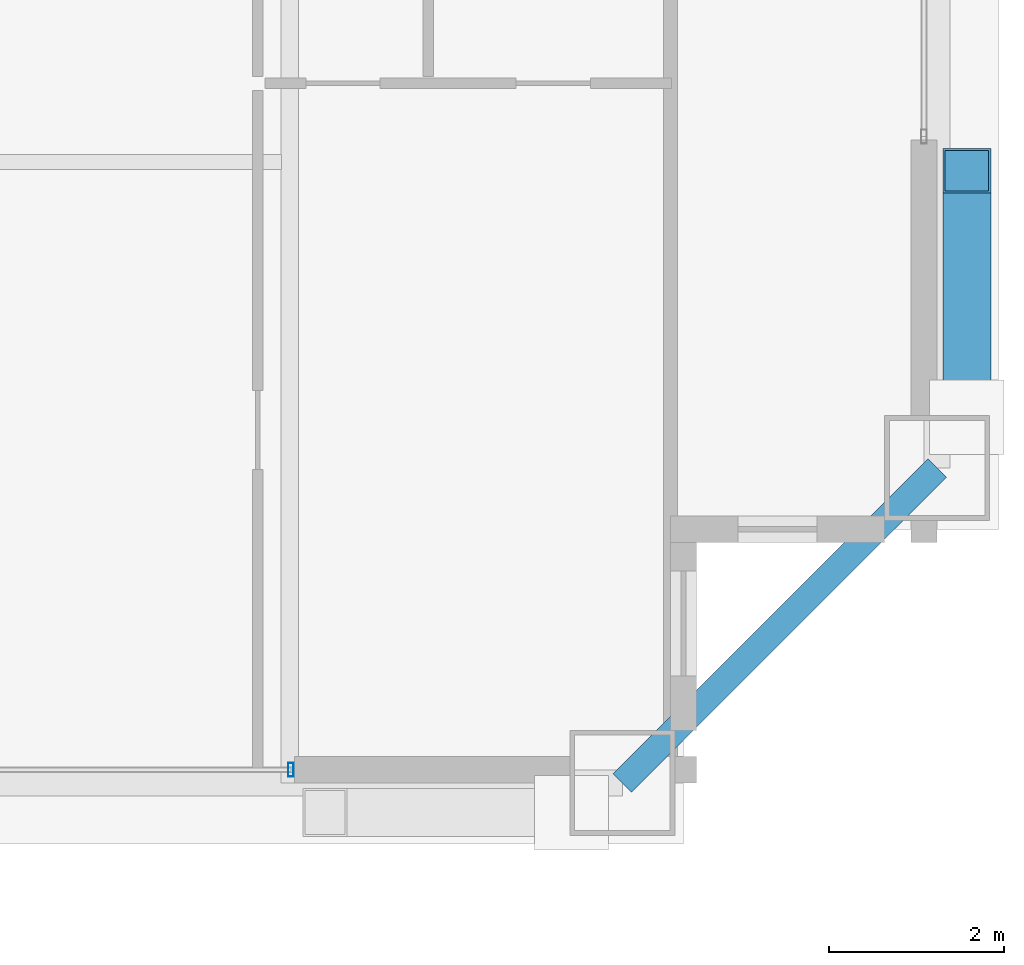
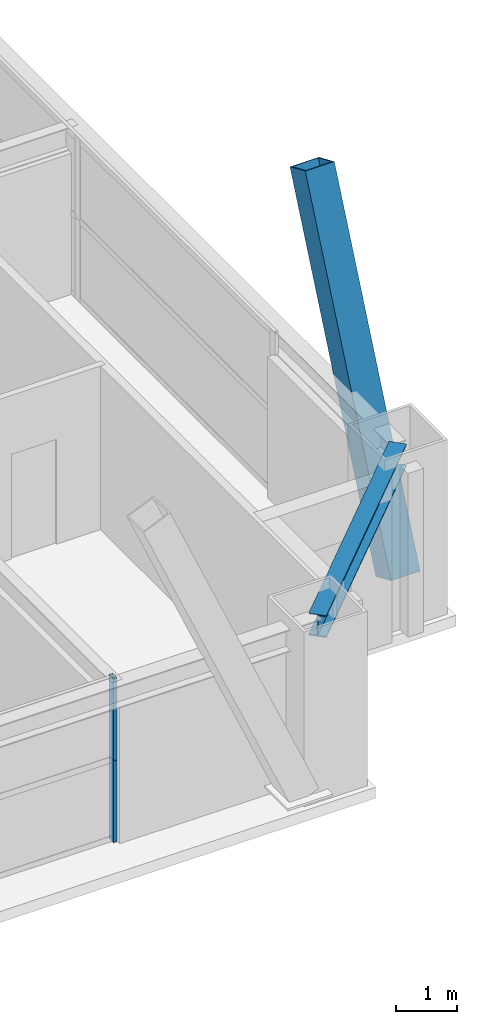
# One storey, part 14 of 35: 3 members, 1 beam, 1 element without a shape of its own.
"""IFC4 building model written with IfcOpenShell, lengths in metres."""

import ifcopenshell
import ifcopenshell.guid

model = None  # the IFC model being written
_history = None  # IfcOwnerHistory: only IFC2X3 demands one
_inside = {}  # id of a spatial element -> (the spatial element, [elements in it])
_under = {}  # id of a project, library or spatial element -> (it, [spatial elements below it])
_declared = {}  # id of a project -> (the project, [libraries it declares])
_typed = {}  # id of a type object -> (the type object, [elements of that type])
_made_of = {}  # id of a material, layer set ... -> (it, [elements and type objects made of it])


def new_model(schema):
    """Start an empty IFC model of exactly this schema.

    Asked for "IFC4X3", IfcOpenShell would pick the latest addendum, in which some entities
    have other attributes; the version numbers below select the first issue.
    IFC2X3 requires an IfcOwnerHistory on every rooted entity: one is made here for all.
    """
    global model, _history
    if schema == "IFC4X3":
        model = ifcopenshell.file(schema_version=(4, 3, 0, 0))
    else:
        model = ifcopenshell.file(schema=schema)
    _inside.clear()
    _under.clear()
    _declared.clear()
    _typed.clear()
    _made_of.clear()
    _history = None
    if model.schema == "IFC2X3":
        org = make("IfcOrganization", Name="unknown")
        user = make(
            "IfcPersonAndOrganization",
            ThePerson=make("IfcPerson", FamilyName="unknown"),
            TheOrganization=org,
        )
        app = make(
            "IfcApplication",
            ApplicationDeveloper=org,
            Version="unknown",
            ApplicationFullName="unknown",
            ApplicationIdentifier="unknown",
        )
        _history = make(
            "IfcOwnerHistory",
            OwningUser=user,
            OwningApplication=app,
            ChangeAction="ADDED",
            CreationDate=0,
        )
    return model


def make(cls, **values):
    """One entity of the class cls with the attributes given. An attribute that is None is left unset."""
    return model.create_entity(
        cls, **{name: value for name, value in values.items() if value is not None}
    )


def rooted(cls, **values):
    """An entity with a GlobalId (a new one), such as an element, a storey or a relation."""
    return make(cls, GlobalId=ifcopenshell.guid.new(), OwnerHistory=_history, **values)


def si_unit(unit_type, name, prefix=None):
    """IfcSIUnit, for example si_unit("LENGTHUNIT", "METRE", prefix="MILLI")."""
    return make("IfcSIUnit", UnitType=unit_type, Prefix=prefix, Name=name)


def assignment(units):
    """IfcUnitAssignment: the units of a project."""
    return None if units is None else make("IfcUnitAssignment", Units=units)


def point(xyz):
    """IfcCartesianPoint."""
    return None if xyz is None else make("IfcCartesianPoint", Coordinates=xyz)


def direction(xyz):
    """IfcDirection."""
    return None if xyz is None else make("IfcDirection", DirectionRatios=xyz)


def frame(location, z_axis=None, x_axis=None):
    """IfcAxis2Placement3D, a coordinate frame: its origin and axes. An axis left out is left unset."""
    return make(
        "IfcAxis2Placement3D",
        Location=point(location),
        Axis=direction(z_axis),
        RefDirection=direction(x_axis),
    )


def frame_2d(location, x_axis=None):
    """IfcAxis2Placement2D, a coordinate frame in the plane: its origin and x axis."""
    return make(
        "IfcAxis2Placement2D", Location=point(location), RefDirection=direction(x_axis)
    )


def origin():
    """The frame at (0, 0, 0) with its axes left unset."""
    return frame((0.0, 0.0, 0.0))


def origin_2d():
    """The frame at (0, 0) in the plane with its x axis left unset."""
    return frame_2d((0.0, 0.0))


def place(relative_to, where):
    """IfcLocalPlacement: puts the frame where relative to a parent placement (None: the world)."""
    return make(
        "IfcLocalPlacement", PlacementRelTo=relative_to, RelativePlacement=where
    )


def context(
    kind, dimensions, precision=None, world=None, true_north=None, identifier=None
):
    """IfcGeometricRepresentationContext, for example the 3D "Model" context."""
    return make(
        "IfcGeometricRepresentationContext",
        ContextIdentifier=identifier,
        ContextType=kind,
        CoordinateSpaceDimension=dimensions,
        Precision=precision,
        WorldCoordinateSystem=world,
        TrueNorth=true_north,
    )


def subcontext(parent, identifier, kind, view, scale=None):
    """IfcGeometricRepresentationSubContext, for example "Body" below "Model"."""
    return make(
        "IfcGeometricRepresentationSubContext",
        ContextIdentifier=identifier,
        ContextType=kind,
        ParentContext=parent,
        TargetScale=scale,
        TargetView=view,
    )


def project(units=None, contexts=None):
    """IfcProject with its units and contexts."""
    return rooted(
        "IfcProject",
        Name="project",
        RepresentationContexts=contexts,
        UnitsInContext=assignment(units),
    )


def spatial(cls, under=None, at=None, **own):
    """A site, building, storey or space (cls), placed at a placement, below another one or the project."""
    s = rooted(cls, ObjectPlacement=at, **own)
    if under is not None:
        _under.setdefault(under.id(), (under, []))[1].append(s)
    return s


def profile(cls, at=None, kind="AREA", **sizes):
    """A parametric profile (cls). Its sizes go by their IFC names, for example OverallWidth=200.0."""
    return make(cls, ProfileType=kind, Position=at, **sizes)


def hollow_rectangle(**sizes):
    """IfcRectangleHollowProfileDef."""
    return profile("IfcRectangleHollowProfileDef", **sizes)


def i_section(**sizes):
    """IfcIShapeProfileDef."""
    return profile("IfcIShapeProfileDef", **sizes)


def extrude(swept, where, along, depth):
    """IfcExtrudedAreaSolid: the profile swept, set in the frame where, extruded along a direction by depth."""
    return make(
        "IfcExtrudedAreaSolid",
        SweptArea=swept,
        Position=where,
        ExtrudedDirection=direction(along),
        Depth=depth,
    )


def shape(context_of_items, identifier, shape_type, items):
    """IfcShapeRepresentation: the items that make up one representation, for example the "Body"."""
    return make(
        "IfcShapeRepresentation",
        ContextOfItems=context_of_items,
        RepresentationIdentifier=identifier,
        RepresentationType=shape_type,
        Items=items,
    )


def source(mapping_origin, context_of_items, identifier, shape_type, items):
    """IfcRepresentationMap: a shape defined once, which mapped items show again and again."""
    return make(
        "IfcRepresentationMap",
        MappingOrigin=mapping_origin,
        MappedRepresentation=shape(context_of_items, identifier, shape_type, items),
    )


def transform(
    local_origin,
    x_axis=None,
    y_axis=None,
    z_axis=None,
    scale=None,
    scale2=None,
    scale3=None,
    uniform=True,
):
    """IfcCartesianTransformationOperator3D, or its non-uniform kind. x_axis, y_axis, z_axis: its Axis1, 2, 3."""
    if uniform:
        return make(
            "IfcCartesianTransformationOperator3D",
            Axis1=direction(x_axis),
            Axis2=direction(y_axis),
            LocalOrigin=point(local_origin),
            Scale=scale,
            Axis3=direction(z_axis),
        )
    return make(
        "IfcCartesianTransformationOperator3DnonUniform",
        Axis1=direction(x_axis),
        Axis2=direction(y_axis),
        LocalOrigin=point(local_origin),
        Scale=scale,
        Axis3=direction(z_axis),
        Scale2=scale2,
        Scale3=scale3,
    )


def mapped(mapping_source, mapping_target):
    """IfcMappedItem: shows the shape of a source again, moved by a transform."""
    return make(
        "IfcMappedItem", MappingSource=mapping_source, MappingTarget=mapping_target
    )


def material(Name=None, Category=None):
    """IfcMaterial."""
    return make("IfcMaterial", Name=Name, Category=Category)


def layer(
    of_material, thickness, ventilated=None, Name=None, Category=None, Priority=None
):
    """IfcMaterialLayer: one layer of a wall or slab, of a material (None: an air gap)."""
    return make(
        "IfcMaterialLayer",
        Material=of_material,
        LayerThickness=thickness,
        IsVentilated=ventilated,
        Name=Name,
        Category=Category,
        Priority=Priority,
    )


def layer_set(layers, Name=None):
    """IfcMaterialLayerSet."""
    return make("IfcMaterialLayerSet", MaterialLayers=layers, LayerSetName=Name)


def material_profile(
    of_material, cross_section, Name=None, Category=None, Priority=None
):
    """IfcMaterialProfile: a cross section and its material."""
    return make(
        "IfcMaterialProfile",
        Name=Name,
        Material=of_material,
        Profile=cross_section,
        Priority=Priority,
        Category=Category,
    )


def profile_set(profiles, Name=None, composite=None):
    """IfcMaterialProfileSet."""
    return make(
        "IfcMaterialProfileSet",
        Name=Name,
        MaterialProfiles=profiles,
        CompositeProfile=composite,
    )


def made_of(thing, what):
    """Note that an element or type object is made of a material, layer set ...; save() writes the relation."""
    if what is not None:
        _made_of.setdefault(what.id(), (what, []))[1].append(thing)
    return thing


def type_object(cls, material=None, **own):
    """A type object (cls), such as IfcWallType, which elements share."""
    return made_of(rooted(cls, **own), material)


def element(
    cls,
    number,
    at=None,
    inside=None,
    cuts=None,
    type_object=None,
    material=None,
    context=None,
    identifier="Body",
    shape_type=None,
    held_by="IfcProductDefinitionShape",
    body=None,
    shapes=None,
    **own,
):
    """One element of the class cls, such as IfcWall. Its Tag is "e" and its number.

    at: its placement. inside: the storey or other place that contains it. cuts: it is an
    opening in that element (IfcRelVoidsElement). A single representation is given by context,
    identifier, shape_type and body (its items); several are given by shapes. held_by: the class
    of the entity that holds the representations. save() writes the other relations.
    """
    e = rooted(cls, Tag="e%d" % number, ObjectPlacement=at, **own)
    if body is not None:
        shapes = [shape(context, identifier, shape_type, body)]
    if shapes is not None:
        e.Representation = make(held_by, Representations=shapes)
    if inside is not None:
        _inside.setdefault(inside.id(), (inside, []))[1].append(e)
    if cuts is not None:
        rooted(
            "IfcRelVoidsElement", RelatingBuildingElement=cuts, RelatedOpeningElement=e
        )
    if type_object is not None:
        _typed.setdefault(type_object.id(), (type_object, []))[1].append(e)
    return made_of(e, material)


def aggregate(whole, parts):
    """IfcRelAggregates: a whole, such as a stair, and the parts it consists of."""
    return rooted("IfcRelAggregates", RelatingObject=whole, RelatedObjects=parts)


def save(model, path):
    """Write the relations noted so far, then the file.

    IfcRelAggregates (storeys below a building ...), IfcRelContainedInSpatialStructure (elements
    in a storey), IfcRelDefinesByType, IfcRelAssociatesMaterial and IfcRelDeclares: one each for
    every whole, place, type object, material and project.
    """
    for whole, parts in _under.values():
        aggregate(whole, parts)
    for where, things in _inside.values():
        rooted(
            "IfcRelContainedInSpatialStructure",
            RelatedElements=things,
            RelatingStructure=where,
        )
    for kind, things in _typed.values():
        rooted("IfcRelDefinesByType", RelatedObjects=things, RelatingType=kind)
    for what, things in _made_of.values():
        rooted("IfcRelAssociatesMaterial", RelatedObjects=things, RelatingMaterial=what)
    for by, libraries in _declared.values():
        rooted("IfcRelDeclares", RelatingContext=by, RelatedDefinitions=libraries)
    model.write(path)


model = new_model("IFC4")

# Units and contexts
model_context = context("Model", 3, precision=1e-05, world=origin(), true_north=direction((0.0, 1.0)))
body_context = subcontext(model_context, "Body", "Model", "MODEL_VIEW")
ifc_project = project(units=[si_unit("LENGTHUNIT", "METRE"), si_unit("AREAUNIT", "SQUARE_METRE"), si_unit("VOLUMEUNIT", "CUBIC_METRE"), si_unit("PLANEANGLEUNIT", "RADIAN"), si_unit("MASSUNIT", "GRAM", prefix="KILO"), si_unit("THERMODYNAMICTEMPERATUREUNIT", "KELVIN"), si_unit("POWERUNIT", "WATT")], contexts=[model_context])

# Site, building, storey
site_placement = place(None, origin())
site = spatial("IfcSite", under=ifc_project, at=site_placement, CompositionType="ELEMENT")
building_placement = place(site_placement, origin())
building = spatial("IfcBuilding", under=site, at=building_placement, Name="Yuzanri Waterfront Tower", CompositionType="ELEMENT")
storey_placement = place(building_placement, frame((0.0, 0.0, 227.60009765625)))
storey = spatial("IfcBuildingStorey", under=building, at=storey_placement, Name="L60", CompositionType="ELEMENT", Elevation=227.60009765625)

# Beam
ifc_material_1 = material(Name="Steel Q355B", Category="steel")
ifc_material_profile_1 = material_profile(ifc_material_1, i_section(OverallWidth=0.300048828125, OverallDepth=0.43994140625, WebThickness=0.010986328125, FlangeThickness=0.01806640625, at=origin_2d()), Name="HM 440x300x11x18")
ifc_profile_set_1 = profile_set([ifc_material_profile_1], Name="Steel Q355B")
beam_type = type_object("IfcBeamType", Name="Perimeter Spandrel Q355B HM 440x300", PredefinedType="SPANDREL", material=ifc_profile_set_1)
shared_shape_1 = source(origin(), body_context, "Body", "SweptSolid", [
    extrude(i_section(OverallWidth=0.300048828125, OverallDepth=0.43994140625, WebThickness=0.010986328125, FlangeThickness=0.01806640625, at=origin_2d()), origin(), (0.0, 0.0, 1.0), 5.09130859375),
])
beam_placement = place(storey_placement, frame((54.0, 5.199951171875, 3.059814453125), z_axis=(0.707106781187, 0.707106781187, 0.0), x_axis=(-0.707106781187, 0.707106781187, 0.0)))
element("IfcBeam", 1, at=beam_placement, inside=storey, type_object=beam_type, Name="L60 Perimeter Spandrel S3-E1", PredefinedType="SPANDREL", context=body_context, shape_type="MappedRepresentation", body=[
    mapped(shared_shape_1, transform((0.0, 0.0, 0.0), scale=1.0)),
])

# Member
ifc_material_2 = material(Name="Steel Q390GJC", Category="steel")
ifc_material_profile_2 = material_profile(ifc_material_2, hollow_rectangle(XDim=0.550048828125, YDim=0.550048828125, WallThickness=0.02490234375, at=origin_2d()), Name="RHS 550x550x25")
ifc_profile_set_2 = profile_set([ifc_material_profile_2], Name="Steel Q390GJC")
member_type_1 = type_object("IfcMemberType", Name="Mega Brace Mid Q390GJC RHS 550x550x25", PredefinedType="BRACE", material=ifc_profile_set_2)
shared_shape_2 = source(origin(), body_context, "Body", "SweptSolid", [
    extrude(hollow_rectangle(XDim=0.550048828125, YDim=0.550048828125, WallThickness=0.02490234375, at=origin_2d()), origin(), (0.0, 0.0, 1.0), 7.08544921875),
])
member_1_placement = place(storey_placement, frame((57.93994140625, 9.3798828125, 0.179931640625), z_axis=(0.0, 0.398011598745, 0.917380383082), x_axis=(-1.0, 0.0, 0.0)))
element("IfcMember", 2, at=member_1_placement, inside=storey, type_object=member_type_1, Name="L60-L61 Perimeter Mega-Brace E-L", PredefinedType="BRACE", context=body_context, shape_type="MappedRepresentation", body=[
    mapped(shared_shape_2, transform((0.0, 0.0, 0.0), scale=1.0)),
])

# Curtain wall, members
ifc_material_3 = material(Name="Anodized Architectural Bronze", Category="metal")
ifc_layer = layer(ifc_material_3, 0.159912109375)
ifc_layer_set = layer_set([ifc_layer], Name="Anodized Architectural Bronze")
curtain_wall_type = type_object("IfcCurtainWallType", Name="Anodized Bronze Mid-Rise Residential Acoustic Unitized Curtain Wall 7200", PredefinedType="NOTDEFINED", material=ifc_layer_set)
curtain_wall_placement = place(storey_placement, origin())
curtain_wall = element("IfcCurtainWall", 3, at=curtain_wall_placement, inside=storey, type_object=curtain_wall_type, Name="L60 Curtain Wall CW-L60-SR2", PredefinedType="NOTDEFINED")
ifc_material_4 = material(Name="Anodized Architectural Bronze", Category="metal")
ifc_material_profile_3 = material_profile(ifc_material_4, hollow_rectangle(XDim=0.06494140625, YDim=0.159912109375, WallThickness=0.00341796875, at=origin_2d()), Name="CWM 65x160")
ifc_profile_set_3 = profile_set([ifc_material_profile_3], Name="Anodized Architectural Bronze")
member_type_2 = type_object("IfcMemberType", Name="Anodized Bronze Upper-Zone Curtain-Wall Mullion 65x160", PredefinedType="MULLION", material=ifc_profile_set_3)
shared_shape_3 = source(origin(), body_context, "Body", "SweptSolid", [
    extrude(hollow_rectangle(XDim=0.06494140625, YDim=0.159912109375, WallThickness=0.00341796875, at=origin_2d()), origin(), (0.0, 0.0, 1.0), 1.637939453125),
])
member_2_placement = place(storey_placement, frame((50.2099609375, 5.35009765625, 0.0), z_axis=(0.0, 0.0, 1.0), x_axis=(1.0, 0.0, 0.0)))
member_2 = element("IfcMember", 4, at=member_2_placement, type_object=member_type_2, Name="CW-L60-SR2 Lower Mullion 01", PredefinedType="MULLION", context=body_context, shape_type="MappedRepresentation", body=[
    mapped(shared_shape_3, transform((0.0, 0.0, 0.0), scale=1.0)),
])
member_3_placement = place(storey_placement, frame((50.2099609375, 5.35009765625, 1.641845703125), z_axis=(0.0, 0.0, 1.0), x_axis=(1.0, 0.0, 0.0)))
member_3 = element("IfcMember", 5, at=member_3_placement, type_object=member_type_2, Name="CW-L60-SR2 Upper Mullion 01", PredefinedType="MULLION", context=body_context, shape_type="MappedRepresentation", body=[
    mapped(shared_shape_3, transform((0.0, 0.0, 0.0), scale=1.0)),
])
aggregate(curtain_wall, [member_2, member_3])

save(model, "model.ifc")
